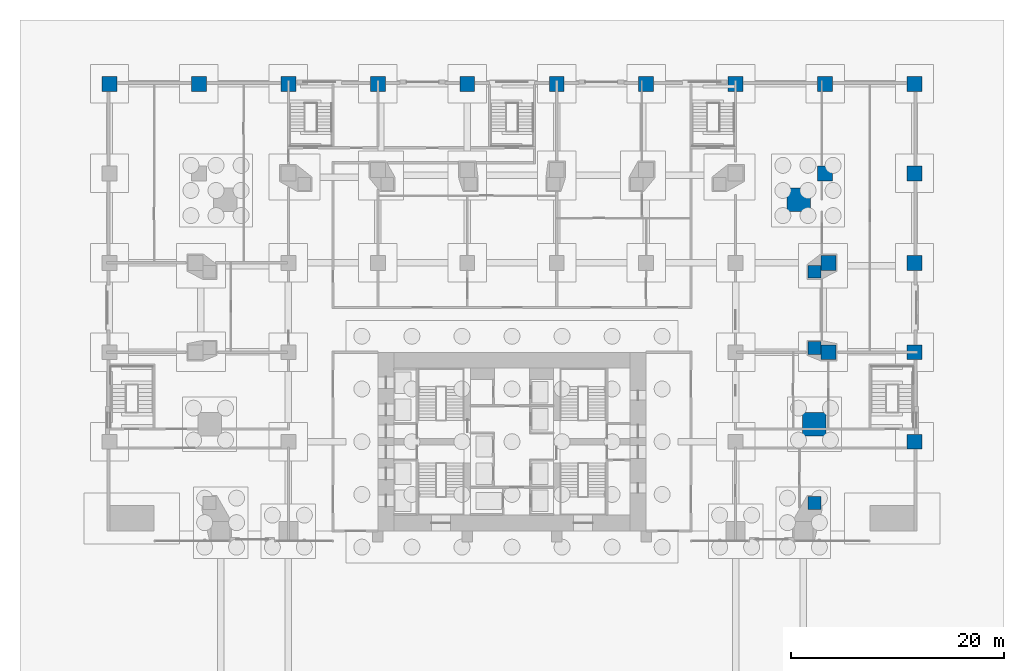
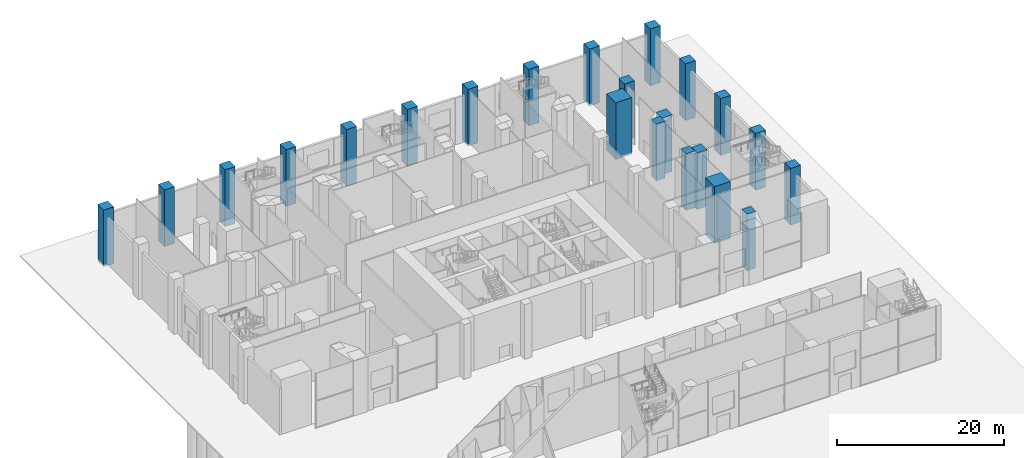
# One storey, part 3 of 31: 22 columns.
"""IFC4 building model written with IfcOpenShell, lengths in metres."""

from ifc_helpers import new_model, si_unit, direction, frame, origin, origin_2d, place, context, subcontext, project, spatial, rectangle, extrude, material, material_profile, profile_set, type_object, element, save


model = new_model("IFC4")

# Units and contexts
model_context = context("Model", 3, precision=1e-05, world=origin(), true_north=direction((0.0, 1.0)))
body_context = subcontext(model_context, "Body", "Model", "MODEL_VIEW")
ifc_project = project(units=[si_unit("LENGTHUNIT", "METRE"), si_unit("AREAUNIT", "SQUARE_METRE"), si_unit("VOLUMEUNIT", "CUBIC_METRE"), si_unit("PLANEANGLEUNIT", "RADIAN"), si_unit("MASSUNIT", "GRAM", prefix="KILO")], contexts=[model_context])

# Site, building, storey
site_placement = place(None, origin())
site = spatial("IfcSite", under=ifc_project, at=site_placement, CompositionType="ELEMENT")
building_placement = place(site_placement, origin())
building = spatial("IfcBuilding", under=site, at=building_placement, Name="Marenta Gate Hotel Tower", CompositionType="ELEMENT")
storey_placement = place(building_placement, origin())
storey = spatial("IfcBuildingStorey", under=building, at=storey_placement, Name="L00", CompositionType="ELEMENT", Elevation=0.0)

# Columns
ifc_material_1 = material(Name="Concrete C70", Category="concrete")
ifc_material_profile_1 = material_profile(ifc_material_1, rectangle(XDim=1.199951171875, YDim=1.199951171875, at=origin_2d()), Name="1200 x 1200")
ifc_profile_set_1 = profile_set([ifc_material_profile_1], Name="Concrete C70")
column_type_1 = type_object("IfcColumnType", Name="Podium base column 1200 x 1200 C70", PredefinedType="COLUMN", material=ifc_profile_set_1)
for number, where, z_axis, x_axis, name in (
    (1, (28.39990234375, 24.3564453125, -0.300048828125), (0.0, 0.0, 1.0), (1.0, 0.0, 0.0), "L00-BC-NE-E-1"),
    (2, (28.39990234375, 17.203125, -0.300048828125), (0.0, 0.0, 1.0), (1.0, 0.0, 0.0), "L00-BC-NE-E-2"),
    (3, (28.39990234375, 2.649169921875, -0.300048828125), (0.0, 0.0, 1.0), (1.0, 0.0, 0.0), "L00-BC-E-SE-1"),
):
    element("IfcColumn", number, at=place(storey_placement, frame(where, z_axis=z_axis, x_axis=x_axis)), inside=storey, type_object=column_type_1, Name=name, PredefinedType="COLUMN", context=body_context, shape_type="SweptSolid", body=[
        extrude(rectangle(XDim=1.199951171875, YDim=1.199951171875, at=origin_2d()), origin(), (0.0, 0.0, 1.0), 8.300048828125),
    ])
ifc_material_2 = material(Name="Concrete C70", Category="concrete")
ifc_material_profile_2 = material_profile(ifc_material_2, rectangle(XDim=1.39990234375, YDim=1.39990234375, at=origin_2d()), Name="1400 x 1400")
ifc_profile_set_2 = profile_set([ifc_material_profile_2], Name="Concrete C70")
column_type_2 = type_object("IfcColumnType", Name="Podium column 1400 x 1400 C70", PredefinedType="COLUMN", material=ifc_profile_set_2)
for number, where, z_axis, x_axis, name in (
    (4, (37.800048828125, 8.39990234375, -0.300048828125), (0.0, 0.0, 1.0), (1.0, 0.0, 0.0), "L00-PCOL-11/G"),
    (5, (29.719970703125, 16.800048828125, -0.300048828125), (0.0, 0.0, 1.0), (1.0, 0.0, 0.0), "L00-PCOL-10/H"),
    (6, (37.800048828125, 16.800048828125, -0.300048828125), (0.0, 0.0, 1.0), (1.0, 0.0, 0.0), "L00-PCOL-11/H"),
    (7, (29.719970703125, 25.199951171875, -0.300048828125), (0.0, 0.0, 1.0), (1.0, 0.0, 0.0), "L00-PCOL-10/I"),
    (8, (37.800048828125, 25.199951171875, -0.300048828125), (0.0, 0.0, 1.0), (1.0, 0.0, 0.0), "L00-PCOL-11/I"),
    (9, (29.39990234375, 33.60009765625, -0.300048828125), (0.0, 0.0, 1.0), (1.0, 0.0, 0.0), "L00-PCOL-10/J"),
    (10, (37.800048828125, 33.60009765625, -0.300048828125), (0.0, 0.0, 1.0), (1.0, 0.0, 0.0), "L00-PCOL-11/J"),
    (11, (-37.800048828125, 42.0, -0.300048828125), (0.0, 0.0, 1.0), (1.0, 0.0, 0.0), "L00-PCOL-2/K"),
    (12, (-29.39990234375, 42.0, -0.300048828125), (0.0, 0.0, 1.0), (1.0, 0.0, 0.0), "L00-PCOL-3/K"),
    (13, (-21.0, 42.0, -0.300048828125), (0.0, 0.0, 1.0), (1.0, 0.0, 0.0), "L00-PCOL-4/K"),
    (14, (-12.60009765625, 42.0, -0.300048828125), (0.0, 0.0, 1.0), (1.0, 0.0, 0.0), "L00-PCOL-5/K"),
    (15, (-4.199951171875, 42.0, -0.300048828125), (0.0, 0.0, 1.0), (1.0, 0.0, 0.0), "L00-PCOL-6/K"),
    (16, (4.199951171875, 42.0, -0.300048828125), (0.0, 0.0, 1.0), (1.0, 0.0, 0.0), "L00-PCOL-7/K"),
    (17, (12.60009765625, 42.0, -0.300048828125), (0.0, 0.0, 1.0), (1.0, 0.0, 0.0), "L00-PCOL-8/K"),
    (18, (21.0, 42.0, -0.300048828125), (0.0, 0.0, 1.0), (1.0, 0.0, 0.0), "L00-PCOL-9/K"),
    (19, (29.39990234375, 42.0, -0.300048828125), (0.0, 0.0, 1.0), (1.0, 0.0, 0.0), "L00-PCOL-10/K"),
    (20, (37.800048828125, 42.0, -0.300048828125), (0.0, 0.0, 1.0), (1.0, 0.0, 0.0), "L00-PCOL-11/K"),
):
    element("IfcColumn", number, at=place(storey_placement, frame(where, z_axis=z_axis, x_axis=x_axis)), inside=storey, type_object=column_type_2, Name=name, PredefinedType="COLUMN", context=body_context, shape_type="SweptSolid", body=[
        extrude(rectangle(XDim=1.39990234375, YDim=1.39990234375, at=origin_2d()), origin(), (0.0, 0.0, 1.0), 8.300048828125),
    ])
ifc_material_3 = material(Name="Concrete C80", Category="concrete")
ifc_material_profile_3 = material_profile(ifc_material_3, rectangle(XDim=2.199951171875, YDim=2.199951171875, at=origin_2d()), Name="2200 x 2200")
ifc_profile_set_3 = profile_set([ifc_material_profile_3], Name="Concrete C80")
column_type_3 = type_object("IfcColumnType", Name="Podium column under mega column 2200 x 2200 C80", PredefinedType="COLUMN", material=ifc_profile_set_3)
for number, where, z_axis, x_axis, name in (
    (21, (28.39990234375, 10.050048828125, -0.300048828125), (0.0, 0.0, 1.0), (1.0, 0.0, 0.0), "L00-PCOL-E-mega"),
    (22, (26.935546875, 31.135498046875, -0.300048828125), (0.0, 0.0, 1.0), (1.0, 0.0, 0.0), "L00-PCOL-NE-mega"),
):
    element("IfcColumn", number, at=place(storey_placement, frame(where, z_axis=z_axis, x_axis=x_axis)), inside=storey, type_object=column_type_3, Name=name, PredefinedType="COLUMN", context=body_context, shape_type="SweptSolid", body=[
        extrude(rectangle(XDim=2.199951171875, YDim=2.199951171875, at=origin_2d()), origin(), (0.0, 0.0, 1.0), 8.300048828125),
    ])

save(model, "model.ifc")
